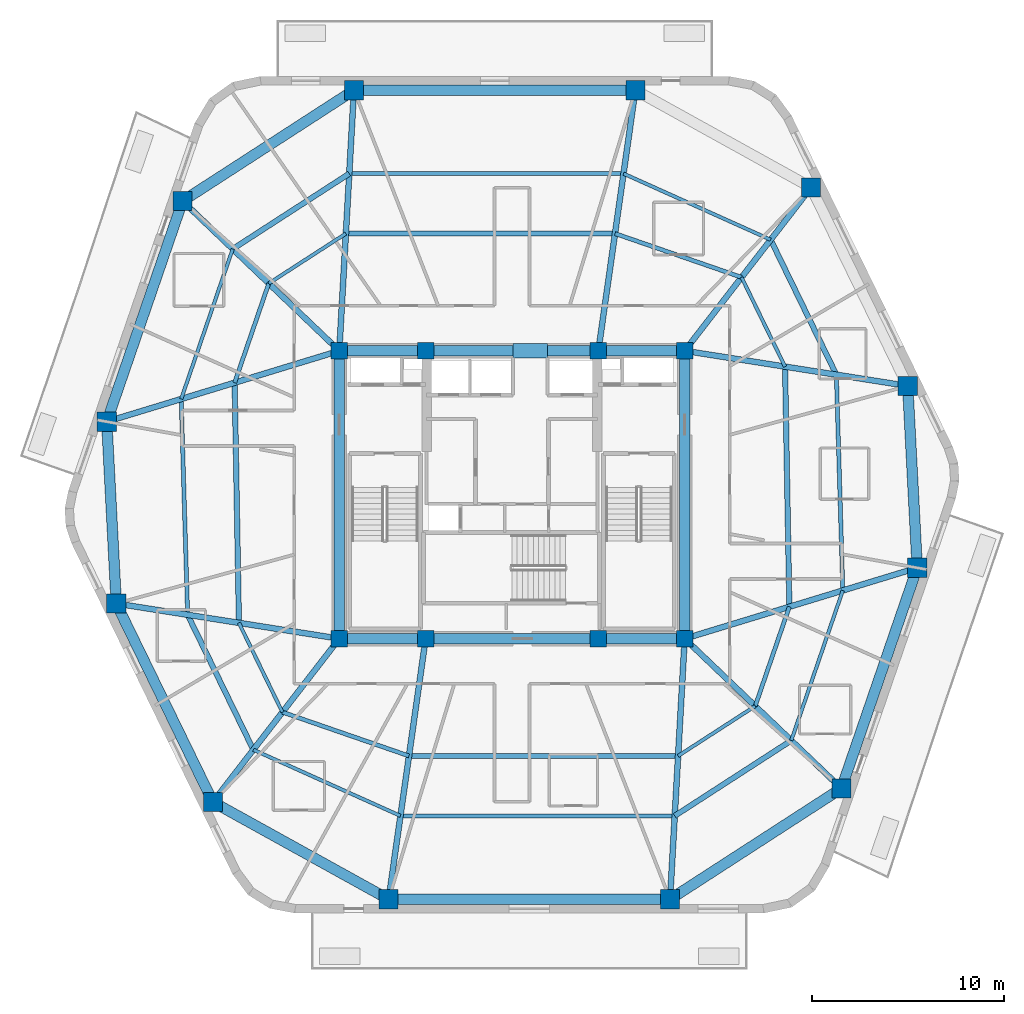
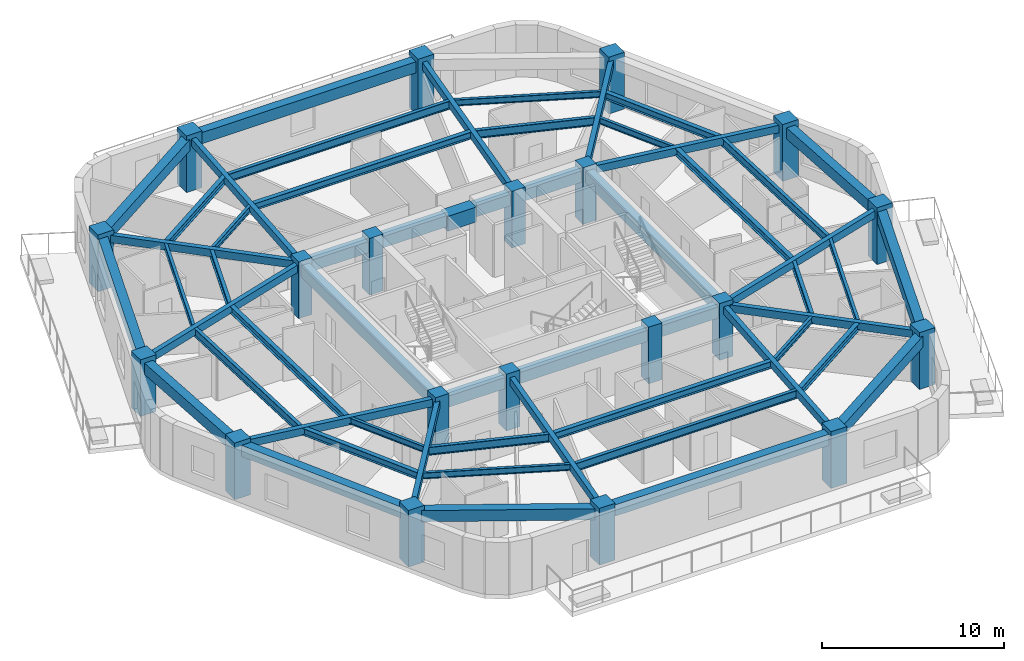
# One storey, part 1 of 9: 55 beams, 20 columns.
"""IFC4 building model written with IfcOpenShell, lengths in metres."""

import ifcopenshell
import ifcopenshell.guid

model = None  # the IFC model being written
_history = None  # IfcOwnerHistory: only IFC2X3 demands one
_inside = {}  # id of a spatial element -> (the spatial element, [elements in it])
_under = {}  # id of a project, library or spatial element -> (it, [spatial elements below it])
_declared = {}  # id of a project -> (the project, [libraries it declares])
_typed = {}  # id of a type object -> (the type object, [elements of that type])
_made_of = {}  # id of a material, layer set ... -> (it, [elements and type objects made of it])


def new_model(schema):
    """Start an empty IFC model of exactly this schema.

    Asked for "IFC4X3", IfcOpenShell would pick the latest addendum, in which some entities
    have other attributes; the version numbers below select the first issue.
    IFC2X3 requires an IfcOwnerHistory on every rooted entity: one is made here for all.
    """
    global model, _history
    if schema == "IFC4X3":
        model = ifcopenshell.file(schema_version=(4, 3, 0, 0))
    else:
        model = ifcopenshell.file(schema=schema)
    _inside.clear()
    _under.clear()
    _declared.clear()
    _typed.clear()
    _made_of.clear()
    _history = None
    if model.schema == "IFC2X3":
        org = make("IfcOrganization", Name="unknown")
        user = make(
            "IfcPersonAndOrganization",
            ThePerson=make("IfcPerson", FamilyName="unknown"),
            TheOrganization=org,
        )
        app = make(
            "IfcApplication",
            ApplicationDeveloper=org,
            Version="unknown",
            ApplicationFullName="unknown",
            ApplicationIdentifier="unknown",
        )
        _history = make(
            "IfcOwnerHistory",
            OwningUser=user,
            OwningApplication=app,
            ChangeAction="ADDED",
            CreationDate=0,
        )
    return model


def make(cls, **values):
    """One entity of the class cls with the attributes given. An attribute that is None is left unset."""
    return model.create_entity(
        cls, **{name: value for name, value in values.items() if value is not None}
    )


def rooted(cls, **values):
    """An entity with a GlobalId (a new one), such as an element, a storey or a relation."""
    return make(cls, GlobalId=ifcopenshell.guid.new(), OwnerHistory=_history, **values)


def si_unit(unit_type, name, prefix=None):
    """IfcSIUnit, for example si_unit("LENGTHUNIT", "METRE", prefix="MILLI")."""
    return make("IfcSIUnit", UnitType=unit_type, Prefix=prefix, Name=name)


def assignment(units):
    """IfcUnitAssignment: the units of a project."""
    return None if units is None else make("IfcUnitAssignment", Units=units)


def point(xyz):
    """IfcCartesianPoint."""
    return None if xyz is None else make("IfcCartesianPoint", Coordinates=xyz)


def direction(xyz):
    """IfcDirection."""
    return None if xyz is None else make("IfcDirection", DirectionRatios=xyz)


def frame(location, z_axis=None, x_axis=None):
    """IfcAxis2Placement3D, a coordinate frame: its origin and axes. An axis left out is left unset."""
    return make(
        "IfcAxis2Placement3D",
        Location=point(location),
        Axis=direction(z_axis),
        RefDirection=direction(x_axis),
    )


def frame_2d(location, x_axis=None):
    """IfcAxis2Placement2D, a coordinate frame in the plane: its origin and x axis."""
    return make(
        "IfcAxis2Placement2D", Location=point(location), RefDirection=direction(x_axis)
    )


def origin():
    """The frame at (0, 0, 0) with its axes left unset."""
    return frame((0.0, 0.0, 0.0))


def origin_2d():
    """The frame at (0, 0) in the plane with its x axis left unset."""
    return frame_2d((0.0, 0.0))


def place(relative_to, where):
    """IfcLocalPlacement: puts the frame where relative to a parent placement (None: the world)."""
    return make(
        "IfcLocalPlacement", PlacementRelTo=relative_to, RelativePlacement=where
    )


def context(
    kind, dimensions, precision=None, world=None, true_north=None, identifier=None
):
    """IfcGeometricRepresentationContext, for example the 3D "Model" context."""
    return make(
        "IfcGeometricRepresentationContext",
        ContextIdentifier=identifier,
        ContextType=kind,
        CoordinateSpaceDimension=dimensions,
        Precision=precision,
        WorldCoordinateSystem=world,
        TrueNorth=true_north,
    )


def subcontext(parent, identifier, kind, view, scale=None):
    """IfcGeometricRepresentationSubContext, for example "Body" below "Model"."""
    return make(
        "IfcGeometricRepresentationSubContext",
        ContextIdentifier=identifier,
        ContextType=kind,
        ParentContext=parent,
        TargetScale=scale,
        TargetView=view,
    )


def project(units=None, contexts=None):
    """IfcProject with its units and contexts."""
    return rooted(
        "IfcProject",
        Name="project",
        RepresentationContexts=contexts,
        UnitsInContext=assignment(units),
    )


def spatial(cls, under=None, at=None, **own):
    """A site, building, storey or space (cls), placed at a placement, below another one or the project."""
    s = rooted(cls, ObjectPlacement=at, **own)
    if under is not None:
        _under.setdefault(under.id(), (under, []))[1].append(s)
    return s


def profile(cls, at=None, kind="AREA", **sizes):
    """A parametric profile (cls). Its sizes go by their IFC names, for example OverallWidth=200.0."""
    return make(cls, ProfileType=kind, Position=at, **sizes)


def rectangle(**sizes):
    """IfcRectangleProfileDef."""
    return profile("IfcRectangleProfileDef", **sizes)


def i_section(**sizes):
    """IfcIShapeProfileDef."""
    return profile("IfcIShapeProfileDef", **sizes)


def extrude(swept, where, along, depth):
    """IfcExtrudedAreaSolid: the profile swept, set in the frame where, extruded along a direction by depth."""
    return make(
        "IfcExtrudedAreaSolid",
        SweptArea=swept,
        Position=where,
        ExtrudedDirection=direction(along),
        Depth=depth,
    )


def shape(context_of_items, identifier, shape_type, items):
    """IfcShapeRepresentation: the items that make up one representation, for example the "Body"."""
    return make(
        "IfcShapeRepresentation",
        ContextOfItems=context_of_items,
        RepresentationIdentifier=identifier,
        RepresentationType=shape_type,
        Items=items,
    )


def material(Name=None, Category=None):
    """IfcMaterial."""
    return make("IfcMaterial", Name=Name, Category=Category)


def material_profile(
    of_material, cross_section, Name=None, Category=None, Priority=None
):
    """IfcMaterialProfile: a cross section and its material."""
    return make(
        "IfcMaterialProfile",
        Name=Name,
        Material=of_material,
        Profile=cross_section,
        Priority=Priority,
        Category=Category,
    )


def profile_set(profiles, Name=None, composite=None):
    """IfcMaterialProfileSet."""
    return make(
        "IfcMaterialProfileSet",
        Name=Name,
        MaterialProfiles=profiles,
        CompositeProfile=composite,
    )


def made_of(thing, what):
    """Note that an element or type object is made of a material, layer set ...; save() writes the relation."""
    if what is not None:
        _made_of.setdefault(what.id(), (what, []))[1].append(thing)
    return thing


def type_object(cls, material=None, **own):
    """A type object (cls), such as IfcWallType, which elements share."""
    return made_of(rooted(cls, **own), material)


def element(
    cls,
    number,
    at=None,
    inside=None,
    cuts=None,
    type_object=None,
    material=None,
    context=None,
    identifier="Body",
    shape_type=None,
    held_by="IfcProductDefinitionShape",
    body=None,
    shapes=None,
    **own,
):
    """One element of the class cls, such as IfcWall. Its Tag is "e" and its number.

    at: its placement. inside: the storey or other place that contains it. cuts: it is an
    opening in that element (IfcRelVoidsElement). A single representation is given by context,
    identifier, shape_type and body (its items); several are given by shapes. held_by: the class
    of the entity that holds the representations. save() writes the other relations.
    """
    e = rooted(cls, Tag="e%d" % number, ObjectPlacement=at, **own)
    if body is not None:
        shapes = [shape(context, identifier, shape_type, body)]
    if shapes is not None:
        e.Representation = make(held_by, Representations=shapes)
    if inside is not None:
        _inside.setdefault(inside.id(), (inside, []))[1].append(e)
    if cuts is not None:
        rooted(
            "IfcRelVoidsElement", RelatingBuildingElement=cuts, RelatedOpeningElement=e
        )
    if type_object is not None:
        _typed.setdefault(type_object.id(), (type_object, []))[1].append(e)
    return made_of(e, material)


def aggregate(whole, parts):
    """IfcRelAggregates: a whole, such as a stair, and the parts it consists of."""
    return rooted("IfcRelAggregates", RelatingObject=whole, RelatedObjects=parts)


def save(model, path):
    """Write the relations noted so far, then the file.

    IfcRelAggregates (storeys below a building ...), IfcRelContainedInSpatialStructure (elements
    in a storey), IfcRelDefinesByType, IfcRelAssociatesMaterial and IfcRelDeclares: one each for
    every whole, place, type object, material and project.
    """
    for whole, parts in _under.values():
        aggregate(whole, parts)
    for where, things in _inside.values():
        rooted(
            "IfcRelContainedInSpatialStructure",
            RelatedElements=things,
            RelatingStructure=where,
        )
    for kind, things in _typed.values():
        rooted("IfcRelDefinesByType", RelatedObjects=things, RelatingType=kind)
    for what, things in _made_of.values():
        rooted("IfcRelAssociatesMaterial", RelatedObjects=things, RelatingMaterial=what)
    for by, libraries in _declared.values():
        rooted("IfcRelDeclares", RelatingContext=by, RelatedDefinitions=libraries)
    model.write(path)


model = new_model("IFC4")

# Units and contexts
model_context = context("Model", 3, precision=1e-05, world=origin(), true_north=direction((0.0, 1.0)))
body_context = subcontext(model_context, "Body", "Model", "MODEL_VIEW")
ifc_project = project(units=[si_unit("LENGTHUNIT", "METRE"), si_unit("AREAUNIT", "SQUARE_METRE"), si_unit("VOLUMEUNIT", "CUBIC_METRE"), si_unit("PLANEANGLEUNIT", "RADIAN"), si_unit("MASSUNIT", "GRAM", prefix="KILO")], contexts=[model_context])

# Site, building, storey
site_placement = place(None, origin())
site = spatial("IfcSite", under=ifc_project, at=site_placement, CompositionType="ELEMENT")
building_placement = place(site_placement, origin())
building = spatial("IfcBuilding", under=site, at=building_placement, Name="Kilnhurst Terrace Hotel", CompositionType="ELEMENT")
storey_placement = place(building_placement, frame((0.0, 0.0, 229.300048828125)))
storey = spatial("IfcBuildingStorey", under=building, at=storey_placement, Name="L57", CompositionType="ELEMENT", Elevation=229.300048828125)

# Columns
ifc_material_1 = material(Name="Concrete C60/75", Category="concrete")
ifc_material_profile_1 = material_profile(ifc_material_1, rectangle(XDim=1.0, YDim=1.0, at=origin_2d()), Name="RC1000X1000")
ifc_profile_set_1 = profile_set([ifc_material_profile_1], Name="Concrete C60/75")
column_type_1 = type_object("IfcColumnType", Name="COL-RC-1000", PredefinedType="COLUMN", material=ifc_profile_set_1)
for number, where, z_axis, x_axis, name in (
    (1, (-6.429931640625, -21.080078125, 0.0), (0.0, 0.0, 1.0), (1.0, 0.0, 0.0), "L57 Structural Column PC-F11"),
    (2, (8.236083984375, -21.080078125, 0.0), (0.0, 0.0, 1.0), (1.0, 0.0, 0.0), "L57 Structural Column PC-F12"),
    (3, (17.166015625, -15.303955078125, 0.0), (0.0, 0.0, 1.0), (1.0, 0.0, 0.0), "L57 Structural Column PC-F21"),
    (4, (21.117919921875, -3.806884765625, 0.0), (0.0, 0.0, 1.0), (1.0, 0.0, 0.0), "L57 Structural Column PC-F22"),
    (5, (20.6220703125, 5.669921875, 0.0), (0.0, 0.0, 1.0), (1.0, 0.0, 0.0), "L57 Structural Column PC-F31"),
    (6, (15.5869140625, 16.012939453125, 0.0), (0.0, 0.0, 1.0), (1.0, 0.0, 0.0), "L57 Structural Column PC-F32"),
    (7, (6.429931640625, 21.080078125, 0.0), (0.0, 0.0, 1.0), (1.0, 0.0, 0.0), "L57 Structural Column PC-F41"),
    (8, (-8.236083984375, 21.080078125, 0.0), (0.0, 0.0, 1.0), (1.0, 0.0, 0.0), "L57 Structural Column PC-F42"),
    (9, (-17.166015625, 15.303955078125, 0.0), (0.0, 0.0, 1.0), (1.0, 0.0, 0.0), "L57 Structural Column PC-F51"),
    (10, (-21.117919921875, 3.806884765625, 0.0), (0.0, 0.0, 1.0), (1.0, 0.0, 0.0), "L57 Structural Column PC-F52"),
    (11, (-20.6220703125, -5.669921875, 0.0), (0.0, 0.0, 1.0), (1.0, 0.0, 0.0), "L57 Structural Column PC-F61"),
    (12, (-15.5869140625, -16.012939453125, 0.0), (0.0, 0.0, 1.0), (1.0, 0.0, 0.0), "L57 Structural Column PC-F62"),
):
    element("IfcColumn", number, at=place(storey_placement, frame(where, z_axis=z_axis, x_axis=x_axis)), inside=storey, type_object=column_type_1, Name=name, PredefinedType="COLUMN", context=body_context, shape_type="SweptSolid", body=[
        extrude(rectangle(XDim=1.0, YDim=1.0, at=origin_2d()), origin(), (0.0, 0.0, 1.0), 3.800048828125),
    ])
ifc_material_profile_2 = material_profile(ifc_material_1, rectangle(XDim=0.85009765625, YDim=0.85009765625, at=origin_2d()), Name="RC850X850")
ifc_profile_set_2 = profile_set([ifc_material_profile_2], Name="Concrete C60/75")
column_type_2 = type_object("IfcColumnType", Name="COL-RC-850", PredefinedType="COLUMN", material=ifc_profile_set_2)
for number, where, z_axis, x_axis, name in (
    (13, (-9.0, -7.5, 0.0), (0.0, 0.0, 1.0), (1.0, 0.0, 0.0), "L57 Structural Column CC-SW"),
    (14, (-4.5, -7.5, 0.0), (0.0, 0.0, 1.0), (1.0, 0.0, 0.0), "L57 Structural Column CC-SC1"),
    (15, (4.5, -7.5, 0.0), (0.0, 0.0, 1.0), (1.0, 0.0, 0.0), "L57 Structural Column CC-SC2"),
    (16, (9.0, -7.5, 0.0), (0.0, 0.0, 1.0), (1.0, 0.0, 0.0), "L57 Structural Column CC-SE"),
    (17, (9.0, 7.5, 0.0), (0.0, 0.0, 1.0), (1.0, 0.0, 0.0), "L57 Structural Column CC-NE"),
    (18, (4.5, 7.5, 0.0), (0.0, 0.0, 1.0), (1.0, 0.0, 0.0), "L57 Structural Column CC-NC2"),
    (19, (-4.5, 7.5, 0.0), (0.0, 0.0, 1.0), (1.0, 0.0, 0.0), "L57 Structural Column CC-NC1"),
    (20, (-9.0, 7.5, 0.0), (0.0, 0.0, 1.0), (1.0, 0.0, 0.0), "L57 Structural Column CC-NW"),
):
    element("IfcColumn", number, at=place(storey_placement, frame(where, z_axis=z_axis, x_axis=x_axis)), inside=storey, type_object=column_type_2, Name=name, PredefinedType="COLUMN", context=body_context, shape_type="SweptSolid", body=[
        extrude(rectangle(XDim=0.85009765625, YDim=0.85009765625, at=origin_2d()), origin(), (0.0, 0.0, 1.0), 3.800048828125),
    ])

# Beams
ifc_material_2 = material(Name="Concrete C50/60", Category="concrete")
ifc_material_profile_3 = material_profile(ifc_material_2, rectangle(XDim=0.300048828125, YDim=0.5, at=origin_2d()), Name="RC300X500")
ifc_profile_set_3 = profile_set([ifc_material_profile_3], Name="Concrete C50/60")
beam_type_1 = type_object("IfcBeamType", Name="BM-RAD-300X500", PredefinedType="BEAM", material=ifc_profile_set_3)
beam_1_placement = place(storey_placement, frame((-4.5, -7.5, 3.25), z_axis=(-0.140701170889, -0.990052109997, 0.0), x_axis=(0.990052109997, -0.140701170889, 0.0)))
element("IfcBeam", 21, at=beam_1_placement, inside=storey, type_object=beam_type_1, Name="L57 Radial Floor Beam 1", PredefinedType="BEAM", context=body_context, shape_type="SweptSolid", body=[
    extrude(rectangle(XDim=0.300048828125, YDim=0.5, at=origin_2d()), origin(), (0.0, 0.0, 1.0), 13.716552734375),
])
beam_2_placement = place(storey_placement, frame((9.0, -7.5, 3.25), z_axis=(-0.056163905291, -0.998421562138, 0.0), x_axis=(0.998421562138, -0.056163905291, 0.0)))
element("IfcBeam", 22, at=beam_2_placement, inside=storey, type_object=beam_type_1, Name="L57 Radial Floor Beam 2", PredefinedType="BEAM", context=body_context, shape_type="SweptSolid", body=[
    extrude(rectangle(XDim=0.300048828125, YDim=0.5, at=origin_2d()), origin(), (0.0, 0.0, 1.0), 13.6015625),
])
beam_3_placement = place(storey_placement, frame((9.0, -7.5, 3.25), z_axis=(0.722952064528, -0.690898192497, 0.0), x_axis=(0.690898192497, 0.722952064528, 0.0)))
element("IfcBeam", 23, at=beam_3_placement, inside=storey, type_object=beam_type_1, Name="L57 Radial Floor Beam 3", PredefinedType="BEAM", context=body_context, shape_type="SweptSolid", body=[
    extrude(rectangle(XDim=0.300048828125, YDim=0.5, at=origin_2d()), origin(), (0.0, 0.0, 1.0), 11.29541015625),
])
beam_4_placement = place(storey_placement, frame((9.0, -7.5, 3.25), z_axis=(0.956562713724, 0.291526627793, 0.0), x_axis=(-0.291526627793, 0.956562713724, 0.0)))
element("IfcBeam", 24, at=beam_4_placement, inside=storey, type_object=beam_type_1, Name="L57 Radial Floor Beam 4", PredefinedType="BEAM", context=body_context, shape_type="SweptSolid", body=[
    extrude(rectangle(XDim=0.300048828125, YDim=0.5, at=origin_2d()), origin(), (0.0, 0.0, 1.0), 12.668212890625),
])
beam_5_placement = place(storey_placement, frame((9.0, 7.5, 3.25), z_axis=(0.987828160163, -0.155549111179, 0.0), x_axis=(0.155549111179, 0.987828160163, 0.0)))
element("IfcBeam", 25, at=beam_5_placement, inside=storey, type_object=beam_type_1, Name="L57 Radial Floor Beam 5", PredefinedType="BEAM", context=body_context, shape_type="SweptSolid", body=[
    extrude(rectangle(XDim=0.300048828125, YDim=0.5, at=origin_2d()), origin(), (0.0, 0.0, 1.0), 11.765380859375),
])
beam_6_placement = place(storey_placement, frame((9.0, 7.5, 3.25), z_axis=(0.611955412533, 0.790892263884, 0.0), x_axis=(-0.790892263884, 0.611955412533, 0.0)))
element("IfcBeam", 26, at=beam_6_placement, inside=storey, type_object=beam_type_1, Name="L57 Radial Floor Beam 6", PredefinedType="BEAM", context=body_context, shape_type="SweptSolid", body=[
    extrude(rectangle(XDim=0.300048828125, YDim=0.5, at=origin_2d()), origin(), (0.0, 0.0, 1.0), 10.763671875),
])
beam_7_placement = place(storey_placement, frame((4.5, 7.5, 3.25), z_axis=(0.140701170889, 0.990052109997, 0.0), x_axis=(-0.990052109997, 0.140701170889, 0.0)))
element("IfcBeam", 27, at=beam_7_placement, inside=storey, type_object=beam_type_1, Name="L57 Radial Floor Beam 7", PredefinedType="BEAM", context=body_context, shape_type="SweptSolid", body=[
    extrude(rectangle(XDim=0.300048828125, YDim=0.5, at=origin_2d()), origin(), (0.0, 0.0, 1.0), 13.716552734375),
])
beam_8_placement = place(storey_placement, frame((-9.0, 7.5, 3.25), z_axis=(0.056163905291, 0.998421562138, 0.0), x_axis=(-0.998421562138, 0.056163905291, 0.0)))
element("IfcBeam", 28, at=beam_8_placement, inside=storey, type_object=beam_type_1, Name="L57 Radial Floor Beam 8", PredefinedType="BEAM", context=body_context, shape_type="SweptSolid", body=[
    extrude(rectangle(XDim=0.300048828125, YDim=0.5, at=origin_2d()), origin(), (0.0, 0.0, 1.0), 13.6015625),
])
beam_9_placement = place(storey_placement, frame((-9.0, 7.5, 3.25), z_axis=(-0.722952064528, 0.690898192497, 0.0), x_axis=(-0.690898192497, -0.722952064528, 0.0)))
element("IfcBeam", 29, at=beam_9_placement, inside=storey, type_object=beam_type_1, Name="L57 Radial Floor Beam 9", PredefinedType="BEAM", context=body_context, shape_type="SweptSolid", body=[
    extrude(rectangle(XDim=0.300048828125, YDim=0.5, at=origin_2d()), origin(), (0.0, 0.0, 1.0), 11.29541015625),
])
beam_10_placement = place(storey_placement, frame((-9.0, 7.5, 3.25), z_axis=(-0.956562713724, -0.291526627793, 0.0), x_axis=(0.291526627793, -0.956562713724, 0.0)))
element("IfcBeam", 30, at=beam_10_placement, inside=storey, type_object=beam_type_1, Name="L57 Radial Floor Beam 10", PredefinedType="BEAM", context=body_context, shape_type="SweptSolid", body=[
    extrude(rectangle(XDim=0.300048828125, YDim=0.5, at=origin_2d()), origin(), (0.0, 0.0, 1.0), 12.668212890625),
])
beam_11_placement = place(storey_placement, frame((-9.0, -7.5, 3.25), z_axis=(-0.987828160163, 0.155549111179, 0.0), x_axis=(-0.155549111179, -0.987828160163, 0.0)))
element("IfcBeam", 31, at=beam_11_placement, inside=storey, type_object=beam_type_1, Name="L57 Radial Floor Beam 11", PredefinedType="BEAM", context=body_context, shape_type="SweptSolid", body=[
    extrude(rectangle(XDim=0.300048828125, YDim=0.5, at=origin_2d()), origin(), (0.0, 0.0, 1.0), 11.765380859375),
])
beam_12_placement = place(storey_placement, frame((-9.0, -7.5, 3.25), z_axis=(-0.611955412533, -0.790892263884, 0.0), x_axis=(0.790892263884, -0.611955412533, 0.0)))
element("IfcBeam", 32, at=beam_12_placement, inside=storey, type_object=beam_type_1, Name="L57 Radial Floor Beam 12", PredefinedType="BEAM", context=body_context, shape_type="SweptSolid", body=[
    extrude(rectangle(XDim=0.300048828125, YDim=0.5, at=origin_2d()), origin(), (0.0, 0.0, 1.0), 10.763671875),
])
ifc_material_profile_4 = material_profile(ifc_material_2, rectangle(XDim=0.550048828125, YDim=0.75, at=origin_2d()), Name="RC550X750")
ifc_profile_set_4 = profile_set([ifc_material_profile_4], Name="Concrete C50/60")
beam_type_2 = type_object("IfcBeamType", Name="BM-SPN-550X750", PredefinedType="SPANDREL", material=ifc_profile_set_4)
beam_13_placement = place(storey_placement, frame((-9.0, 7.5, 3.125), z_axis=(1.0, 0.0, 0.0), x_axis=(0.0, 1.0, 0.0)))
element("IfcBeam", 33, at=beam_13_placement, inside=storey, type_object=beam_type_2, Name="L57 Core Tie Beam CC-NW to CC-NC1", PredefinedType="SPANDREL", context=body_context, shape_type="SweptSolid", body=[
    extrude(rectangle(XDim=0.550048828125, YDim=0.75, at=origin_2d()), origin(), (0.0, 0.0, 1.0), 4.5),
])
beam_14_placement = place(storey_placement, frame((-4.5, 7.5, 3.125), z_axis=(1.0, 0.0, 0.0), x_axis=(0.0, 1.0, 0.0)))
element("IfcBeam", 34, at=beam_14_placement, inside=storey, type_object=beam_type_2, Name="L57 Core Tie Beam CC-NC1 to CC-NC2", PredefinedType="SPANDREL", context=body_context, shape_type="SweptSolid", body=[
    extrude(rectangle(XDim=0.550048828125, YDim=0.75, at=origin_2d()), origin(), (0.0, 0.0, 1.0), 9.0),
])
for number, where, z_axis, x_axis, name in (
    (35, (4.5, 7.5, 3.125), (1.0, 0.0, 0.0), (0.0, 1.0, 0.0), "L57 Core Tie Beam CC-NC2 to CC-NE"),
    (36, (-9.0, -7.5, 3.125), (1.0, 0.0, 0.0), (0.0, 1.0, 0.0), "L57 Core Tie Beam CC-SW to CC-SC1"),
):
    element("IfcBeam", number, at=place(storey_placement, frame(where, z_axis=z_axis, x_axis=x_axis)), inside=storey, type_object=beam_type_2, Name=name, PredefinedType="SPANDREL", context=body_context, shape_type="SweptSolid", body=[
        extrude(rectangle(XDim=0.550048828125, YDim=0.75, at=origin_2d()), origin(), (0.0, 0.0, 1.0), 4.5),
    ])
beam_15_placement = place(storey_placement, frame((-4.5, -7.5, 3.125), z_axis=(1.0, 0.0, 0.0), x_axis=(0.0, 1.0, 0.0)))
element("IfcBeam", 37, at=beam_15_placement, inside=storey, type_object=beam_type_2, Name="L57 Core Tie Beam CC-SC1 to CC-SC2", PredefinedType="SPANDREL", context=body_context, shape_type="SweptSolid", body=[
    extrude(rectangle(XDim=0.550048828125, YDim=0.75, at=origin_2d()), origin(), (0.0, 0.0, 1.0), 9.0),
])
beam_16_placement = place(storey_placement, frame((4.5, -7.5, 3.125), z_axis=(1.0, 0.0, 0.0), x_axis=(0.0, 1.0, 0.0)))
element("IfcBeam", 38, at=beam_16_placement, inside=storey, type_object=beam_type_2, Name="L57 Core Tie Beam CC-SC2 to CC-SE", PredefinedType="SPANDREL", context=body_context, shape_type="SweptSolid", body=[
    extrude(rectangle(XDim=0.550048828125, YDim=0.75, at=origin_2d()), origin(), (0.0, 0.0, 1.0), 4.5),
])
for number, where, z_axis, x_axis, name in (
    (39, (-9.0, -7.5, 3.125), (0.0, 1.0, 0.0), (-1.0, 0.0, 0.0), "L57 Core Tie Beam CC-SW to CC-NW"),
    (40, (9.0, -7.5, 3.125), (0.0, 1.0, 0.0), (-1.0, 0.0, 0.0), "L57 Core Tie Beam CC-SE to CC-NE"),
):
    element("IfcBeam", number, at=place(storey_placement, frame(where, z_axis=z_axis, x_axis=x_axis)), inside=storey, type_object=beam_type_2, Name=name, PredefinedType="SPANDREL", context=body_context, shape_type="SweptSolid", body=[
        extrude(rectangle(XDim=0.550048828125, YDim=0.75, at=origin_2d()), origin(), (0.0, 0.0, 1.0), 15.0),
    ])
beam_17_placement = place(storey_placement, frame((-6.429931640625, -21.080078125, 3.125), z_axis=(1.0, 0.0, 0.0), x_axis=(0.0, 1.0, 0.0)))
element("IfcBeam", 41, at=beam_17_placement, inside=storey, type_object=beam_type_2, Name="L57 Perimeter Spandrel Beam 1", PredefinedType="SPANDREL", context=body_context, shape_type="SweptSolid", body=[
    extrude(rectangle(XDim=0.550048828125, YDim=0.75, at=origin_2d()), origin(), (0.0, 0.0, 1.0), 14.666015625),
])
beam_18_placement = place(storey_placement, frame((8.236083984375, -21.080078125, 3.125), z_axis=(0.839658834217, 0.543114207254, 0.0), x_axis=(-0.543114207254, 0.839658834217, 0.0)))
element("IfcBeam", 42, at=beam_18_placement, inside=storey, type_object=beam_type_2, Name="L57 Perimeter Spandrel Beam 2", PredefinedType="SPANDREL", context=body_context, shape_type="SweptSolid", body=[
    extrude(rectangle(XDim=0.550048828125, YDim=0.75, at=origin_2d()), origin(), (0.0, 0.0, 1.0), 10.63525390625),
])
beam_19_placement = place(storey_placement, frame((17.166015625, -15.303955078125, 3.125), z_axis=(0.325064053802, 0.94569200109, 0.0), x_axis=(-0.94569200109, 0.325064053802, 0.0)))
element("IfcBeam", 43, at=beam_19_placement, inside=storey, type_object=beam_type_2, Name="L57 Perimeter Spandrel Beam 3", PredefinedType="SPANDREL", context=body_context, shape_type="SweptSolid", body=[
    extrude(rectangle(XDim=0.550048828125, YDim=0.75, at=origin_2d()), origin(), (0.0, 0.0, 1.0), 12.1572265625),
])
beam_20_placement = place(storey_placement, frame((21.117919921875, -3.806884765625, 3.125), z_axis=(-0.052250962837, 0.998633985443, 0.0), x_axis=(-0.998633985443, -0.052250962837, 0.0)))
element("IfcBeam", 44, at=beam_20_placement, inside=storey, type_object=beam_type_2, Name="L57 Perimeter Spandrel Beam 4", PredefinedType="SPANDREL", context=body_context, shape_type="SweptSolid", body=[
    extrude(rectangle(XDim=0.550048828125, YDim=0.75, at=origin_2d()), origin(), (0.0, 0.0, 1.0), 9.48974609375),
])
beam_21_placement = place(storey_placement, frame((6.429931640625, 21.080078125, 3.125), z_axis=(-1.0, 0.0, 0.0), x_axis=(0.0, -1.0, 0.0)))
element("IfcBeam", 45, at=beam_21_placement, inside=storey, type_object=beam_type_2, Name="L57 Perimeter Spandrel Beam 7", PredefinedType="SPANDREL", context=body_context, shape_type="SweptSolid", body=[
    extrude(rectangle(XDim=0.550048828125, YDim=0.75, at=origin_2d()), origin(), (0.0, 0.0, 1.0), 14.666015625),
])
beam_22_placement = place(storey_placement, frame((-8.236083984375, 21.080078125, 3.125), z_axis=(-0.839658834217, -0.543114207254, 0.0), x_axis=(0.543114207254, -0.839658834217, 0.0)))
element("IfcBeam", 46, at=beam_22_placement, inside=storey, type_object=beam_type_2, Name="L57 Perimeter Spandrel Beam 8", PredefinedType="SPANDREL", context=body_context, shape_type="SweptSolid", body=[
    extrude(rectangle(XDim=0.550048828125, YDim=0.75, at=origin_2d()), origin(), (0.0, 0.0, 1.0), 10.63525390625),
])
beam_23_placement = place(storey_placement, frame((-17.166015625, 15.303955078125, 3.125), z_axis=(-0.325064053802, -0.94569200109, 0.0), x_axis=(0.94569200109, -0.325064053802, 0.0)))
element("IfcBeam", 47, at=beam_23_placement, inside=storey, type_object=beam_type_2, Name="L57 Perimeter Spandrel Beam 9", PredefinedType="SPANDREL", context=body_context, shape_type="SweptSolid", body=[
    extrude(rectangle(XDim=0.550048828125, YDim=0.75, at=origin_2d()), origin(), (0.0, 0.0, 1.0), 12.1572265625),
])
beam_24_placement = place(storey_placement, frame((-21.117919921875, 3.806884765625, 3.125), z_axis=(0.052250962837, -0.998633985443, 0.0), x_axis=(0.998633985443, 0.052250962837, 0.0)))
element("IfcBeam", 48, at=beam_24_placement, inside=storey, type_object=beam_type_2, Name="L57 Perimeter Spandrel Beam 10", PredefinedType="SPANDREL", context=body_context, shape_type="SweptSolid", body=[
    extrude(rectangle(XDim=0.550048828125, YDim=0.75, at=origin_2d()), origin(), (0.0, 0.0, 1.0), 9.48974609375),
])
beam_25_placement = place(storey_placement, frame((-20.6220703125, -5.669921875, 3.125), z_axis=(0.437705964683, -0.899118172701, 0.0), x_axis=(0.899118172701, 0.437705964683, 0.0)))
element("IfcBeam", 49, at=beam_25_placement, inside=storey, type_object=beam_type_2, Name="L57 Perimeter Spandrel Beam 11", PredefinedType="SPANDREL", context=body_context, shape_type="SweptSolid", body=[
    extrude(rectangle(XDim=0.550048828125, YDim=0.75, at=origin_2d()), origin(), (0.0, 0.0, 1.0), 11.50341796875),
])
beam_26_placement = place(storey_placement, frame((-15.5869140625, -16.012939453125, 3.125), z_axis=(0.874970333121, -0.484176534085, 0.0), x_axis=(0.484176534085, 0.874970333121, 0.0)))
element("IfcBeam", 50, at=beam_26_placement, inside=storey, type_object=beam_type_2, Name="L57 Perimeter Spandrel Beam 12", PredefinedType="SPANDREL", context=body_context, shape_type="SweptSolid", body=[
    extrude(rectangle(XDim=0.550048828125, YDim=0.75, at=origin_2d()), origin(), (0.0, 0.0, 1.0), 10.465576171875),
])
ifc_material_3 = material(Name="Steel ASTM A992 Grade 50", Category="steel")
ifc_material_profile_5 = material_profile(ifc_material_3, i_section(OverallWidth=0.180908203125, OverallDepth=0.417236328125, WebThickness=0.010986328125, FlangeThickness=0.018310546875, at=origin_2d()), Name="W16X57")
ifc_profile_set_5 = profile_set([ifc_material_profile_5], Name="Steel ASTM A992 Grade 50")
beam_type_3 = type_object("IfcBeamType", Name="JST-STL-W16X57", PredefinedType="JOIST", material=ifc_profile_set_5)
beam_27_placement = place(storey_placement, frame((14.552978515625, -12.806640625, 3.291015625), z_axis=(0.325064911916, 0.945691706129, 0.0), x_axis=(-0.945691706129, 0.325064911916, 0.0)))
element("IfcBeam", 51, at=beam_27_placement, inside=storey, type_object=beam_type_3, Name="L57 Secondary Floor Steel Joist OUT.3", PredefinedType="JOIST", context=body_context, shape_type="SweptSolid", body=[
    extrude(i_section(OverallWidth=0.180908203125, OverallDepth=0.417236328125, WebThickness=0.010986328125, FlangeThickness=0.018310546875, at=origin_2d()), origin(), (0.0, 0.0, 1.0), 8.266845703125),
])
beam_28_placement = place(storey_placement, frame((13.479248046875, 13.288818359375, 3.291015625), z_axis=(-0.912120852375, 0.409921395713, 0.0), x_axis=(-0.409921395713, -0.912120852375, 0.0)))
element("IfcBeam", 52, at=beam_28_placement, inside=storey, type_object=beam_type_3, Name="L57 Secondary Floor Steel Joist OUT.6", PredefinedType="JOIST", context=body_context, shape_type="SweptSolid", body=[
    extrude(i_section(OverallWidth=0.180908203125, OverallDepth=0.417236328125, WebThickness=0.010986328125, FlangeThickness=0.018310546875, at=origin_2d()), origin(), (0.0, 0.0, 1.0), 8.405517578125),
])
beam_29_placement = place(storey_placement, frame((-14.552978515625, 12.806640625, 3.291015625), z_axis=(-0.325064911916, -0.945691706129, 0.0), x_axis=(0.945691706129, -0.325064911916, 0.0)))
element("IfcBeam", 53, at=beam_29_placement, inside=storey, type_object=beam_type_3, Name="L57 Secondary Floor Steel Joist OUT.9", PredefinedType="JOIST", context=body_context, shape_type="SweptSolid", body=[
    extrude(i_section(OverallWidth=0.180908203125, OverallDepth=0.417236328125, WebThickness=0.010986328125, FlangeThickness=0.018310546875, at=origin_2d()), origin(), (0.0, 0.0, 1.0), 8.266845703125),
])
beam_30_placement = place(storey_placement, frame((-13.479248046875, -13.288818359375, 3.291015625), z_axis=(0.912120852375, -0.409921395713, 0.0), x_axis=(0.409921395713, 0.912120852375, 0.0)))
element("IfcBeam", 54, at=beam_30_placement, inside=storey, type_object=beam_type_3, Name="L57 Secondary Floor Steel Joist OUT.12", PredefinedType="JOIST", context=body_context, shape_type="SweptSolid", body=[
    extrude(i_section(OverallWidth=0.180908203125, OverallDepth=0.417236328125, WebThickness=0.010986328125, FlangeThickness=0.018310546875, at=origin_2d()), origin(), (0.0, 0.0, 1.0), 8.405517578125),
])
beam_31_placement = place(storey_placement, frame((8.65625, -13.611083984375, 3.291015625), z_axis=(0.839653632344, 0.543122249306, 0.0), x_axis=(-0.543122249306, 0.839653632344, 0.0)))
element("IfcBeam", 55, at=beam_31_placement, inside=storey, type_object=beam_type_3, Name="L57 Secondary Floor Steel Joist IN.2", PredefinedType="JOIST", context=body_context, shape_type="SweptSolid", body=[
    extrude(i_section(OverallWidth=0.180908203125, OverallDepth=0.417236328125, WebThickness=0.010986328125, FlangeThickness=0.018310546875, at=origin_2d()), origin(), (0.0, 0.0, 1.0), 4.785888671875),
])
beam_32_placement = place(storey_placement, frame((14.22998046875, 6.676513671875, 3.291015625), z_axis=(-0.437718230281, 0.899112201496, 0.0), x_axis=(-0.899112201496, -0.437718230281, 0.0)))
element("IfcBeam", 56, at=beam_32_placement, inside=storey, type_object=beam_type_3, Name="L57 Secondary Floor Steel Joist IN.5", PredefinedType="JOIST", context=body_context, shape_type="SweptSolid", body=[
    extrude(i_section(OverallWidth=0.180908203125, OverallDepth=0.417236328125, WebThickness=0.010986328125, FlangeThickness=0.018310546875, at=origin_2d()), origin(), (0.0, 0.0, 1.0), 5.176513671875),
])
beam_33_placement = place(storey_placement, frame((-8.65625, 13.611083984375, 3.291015625), z_axis=(-0.839653632344, -0.543122249306, 0.0), x_axis=(0.543122249306, -0.839653632344, 0.0)))
element("IfcBeam", 57, at=beam_33_placement, inside=storey, type_object=beam_type_3, Name="L57 Secondary Floor Steel Joist IN.8", PredefinedType="JOIST", context=body_context, shape_type="SweptSolid", body=[
    extrude(i_section(OverallWidth=0.180908203125, OverallDepth=0.417236328125, WebThickness=0.010986328125, FlangeThickness=0.018310546875, at=origin_2d()), origin(), (0.0, 0.0, 1.0), 4.785888671875),
])
beam_34_placement = place(storey_placement, frame((-14.22998046875, -6.676513671875, 3.291015625), z_axis=(0.437718230281, -0.899112201496, 0.0), x_axis=(0.899112201496, 0.437718230281, 0.0)))
element("IfcBeam", 58, at=beam_34_placement, inside=storey, type_object=beam_type_3, Name="L57 Secondary Floor Steel Joist IN.11", PredefinedType="JOIST", context=body_context, shape_type="SweptSolid", body=[
    extrude(i_section(OverallWidth=0.180908203125, OverallDepth=0.417236328125, WebThickness=0.010986328125, FlangeThickness=0.018310546875, at=origin_2d()), origin(), (0.0, 0.0, 1.0), 5.176513671875),
])
ifc_material_profile_6 = material_profile(ifc_material_3, i_section(OverallWidth=0.279296875, OverallDepth=0.462890625, WebThickness=0.0107421875, FlangeThickness=0.017333984375, at=origin_2d()), Name="W18X76")
ifc_profile_set_6 = profile_set([ifc_material_profile_6], Name="Steel ASTM A992 Grade 50")
beam_type_4 = type_object("IfcBeamType", Name="JST-STL-W18X76", PredefinedType="JOIST", material=ifc_profile_set_6)
beam_35_placement = place(storey_placement, frame((8.48046875, -16.734375, 3.26806640625), z_axis=(0.839667054453, 0.543101498494, 0.0), x_axis=(-0.543101498494, 0.839667054453, 0.0)))
element("IfcBeam", 59, at=beam_35_placement, inside=storey, type_object=beam_type_4, Name="L57 Secondary Floor Steel Joist OUT.2", PredefinedType="JOIST", context=body_context, shape_type="SweptSolid", body=[
    extrude(i_section(OverallWidth=0.279296875, OverallDepth=0.462890625, WebThickness=0.0107421875, FlangeThickness=0.017333984375, at=origin_2d()), origin(), (0.0, 0.0, 1.0), 7.23193359375),
])
beam_36_placement = place(storey_placement, frame((16.903076171875, 6.255615234375, 3.26806640625), z_axis=(-0.437700347277, 0.899120907328, 0.0), x_axis=(-0.899120907328, -0.437700347277, 0.0)))
element("IfcBeam", 60, at=beam_36_placement, inside=storey, type_object=beam_type_4, Name="L57 Secondary Floor Steel Joist OUT.5", PredefinedType="JOIST", context=body_context, shape_type="SweptSolid", body=[
    extrude(i_section(OverallWidth=0.279296875, OverallDepth=0.462890625, WebThickness=0.0107421875, FlangeThickness=0.017333984375, at=origin_2d()), origin(), (0.0, 0.0, 1.0), 7.822265625),
])
beam_37_placement = place(storey_placement, frame((-8.48046875, 16.734375, 3.26806640625), z_axis=(-0.839667054453, -0.543101498494, 0.0), x_axis=(0.543101498494, -0.839667054453, 0.0)))
element("IfcBeam", 61, at=beam_37_placement, inside=storey, type_object=beam_type_4, Name="L57 Secondary Floor Steel Joist OUT.8", PredefinedType="JOIST", context=body_context, shape_type="SweptSolid", body=[
    extrude(i_section(OverallWidth=0.279296875, OverallDepth=0.462890625, WebThickness=0.0107421875, FlangeThickness=0.017333984375, at=origin_2d()), origin(), (0.0, 0.0, 1.0), 7.23193359375),
])
beam_38_placement = place(storey_placement, frame((-16.903076171875, -6.255615234375, 3.26806640625), z_axis=(0.437700347277, -0.899120907328, 0.0), x_axis=(0.899120907328, 0.437700347277, 0.0)))
element("IfcBeam", 62, at=beam_38_placement, inside=storey, type_object=beam_type_4, Name="L57 Secondary Floor Steel Joist OUT.11", PredefinedType="JOIST", context=body_context, shape_type="SweptSolid", body=[
    extrude(i_section(OverallWidth=0.279296875, OverallDepth=0.462890625, WebThickness=0.0107421875, FlangeThickness=0.017333984375, at=origin_2d()), origin(), (0.0, 0.0, 1.0), 7.822265625),
])
beam_39_placement = place(storey_placement, frame((-5.368408203125, -13.611083984375, 3.26806640625), z_axis=(1.0, 0.0, 0.0), x_axis=(0.0, 1.0, 0.0)))
element("IfcBeam", 63, at=beam_39_placement, inside=storey, type_object=beam_type_4, Name="L57 Secondary Floor Steel Joist IN.1", PredefinedType="JOIST", context=body_context, shape_type="SweptSolid", body=[
    extrude(i_section(OverallWidth=0.279296875, OverallDepth=0.462890625, WebThickness=0.0107421875, FlangeThickness=0.017333984375, at=origin_2d()), origin(), (0.0, 0.0, 1.0), 14.024658203125),
])
beam_40_placement = place(storey_placement, frame((14.453125, -5.838134765625, 3.26806640625), z_axis=(-0.017827833387, 0.999841071549, 0.0), x_axis=(-0.999841071549, -0.017827833387, 0.0)))
element("IfcBeam", 64, at=beam_40_placement, inside=storey, type_object=beam_type_4, Name="L57 Secondary Floor Steel Joist IN.4", PredefinedType="JOIST", context=body_context, shape_type="SweptSolid", body=[
    extrude(i_section(OverallWidth=0.279296875, OverallDepth=0.462890625, WebThickness=0.0107421875, FlangeThickness=0.017333984375, at=origin_2d()), origin(), (0.0, 0.0, 1.0), 12.5166015625),
])
beam_41_placement = place(storey_placement, frame((5.368408203125, 13.611083984375, 3.26806640625), z_axis=(-1.0, 0.0, 0.0), x_axis=(0.0, -1.0, 0.0)))
element("IfcBeam", 65, at=beam_41_placement, inside=storey, type_object=beam_type_4, Name="L57 Secondary Floor Steel Joist IN.7", PredefinedType="JOIST", context=body_context, shape_type="SweptSolid", body=[
    extrude(i_section(OverallWidth=0.279296875, OverallDepth=0.462890625, WebThickness=0.0107421875, FlangeThickness=0.017333984375, at=origin_2d()), origin(), (0.0, 0.0, 1.0), 14.024658203125),
])
beam_42_placement = place(storey_placement, frame((-14.453125, 5.838134765625, 3.26806640625), z_axis=(0.017827833387, -0.999841071549, 0.0), x_axis=(0.999841071549, 0.017827833387, 0.0)))
element("IfcBeam", 66, at=beam_42_placement, inside=storey, type_object=beam_type_4, Name="L57 Secondary Floor Steel Joist IN.10", PredefinedType="JOIST", context=body_context, shape_type="SweptSolid", body=[
    extrude(i_section(OverallWidth=0.279296875, OverallDepth=0.462890625, WebThickness=0.0107421875, FlangeThickness=0.017333984375, at=origin_2d()), origin(), (0.0, 0.0, 1.0), 12.5166015625),
])
ifc_material_profile_7 = material_profile(ifc_material_3, i_section(OverallWidth=0.2138671875, OverallDepth=0.549072265625, WebThickness=0.0146484375, FlangeThickness=0.023681640625, at=origin_2d()), Name="W21X93")
ifc_profile_set_7 = profile_set([ifc_material_profile_7], Name="Steel ASTM A992 Grade 50")
beam_type_5 = type_object("IfcBeamType", Name="JST-STL-W21X93", PredefinedType="JOIST", material=ifc_profile_set_7)
beam_43_placement = place(storey_placement, frame((-5.8125, -16.734375, 3.224853515625), z_axis=(1.0, 0.0, 0.0), x_axis=(0.0, 1.0, 0.0)))
element("IfcBeam", 67, at=beam_43_placement, inside=storey, type_object=beam_type_5, Name="L57 Secondary Floor Steel Joist OUT.1", PredefinedType="JOIST", context=body_context, shape_type="SweptSolid", body=[
    extrude(i_section(OverallWidth=0.2138671875, OverallDepth=0.549072265625, WebThickness=0.0146484375, FlangeThickness=0.023681640625, at=origin_2d()), origin(), (0.0, 0.0, 1.0), 14.29296875),
])
beam_44_placement = place(storey_placement, frame((17.240234375, -4.98876953125, 3.224853515625), z_axis=(-0.029971114202, 0.999550765251, 0.0), x_axis=(-0.999550765251, -0.029971114202, 0.0)))
element("IfcBeam", 68, at=beam_44_placement, inside=storey, type_object=beam_type_5, Name="L57 Secondary Floor Steel Joist OUT.4", PredefinedType="JOIST", context=body_context, shape_type="SweptSolid", body=[
    extrude(i_section(OverallWidth=0.2138671875, OverallDepth=0.549072265625, WebThickness=0.0146484375, FlangeThickness=0.023681640625, at=origin_2d()), origin(), (0.0, 0.0, 1.0), 11.24951171875),
])
beam_45_placement = place(storey_placement, frame((5.8125, 16.734375, 3.224853515625), z_axis=(-1.0, 0.0, 0.0), x_axis=(0.0, -1.0, 0.0)))
element("IfcBeam", 69, at=beam_45_placement, inside=storey, type_object=beam_type_5, Name="L57 Secondary Floor Steel Joist OUT.7", PredefinedType="JOIST", context=body_context, shape_type="SweptSolid", body=[
    extrude(i_section(OverallWidth=0.2138671875, OverallDepth=0.549072265625, WebThickness=0.0146484375, FlangeThickness=0.023681640625, at=origin_2d()), origin(), (0.0, 0.0, 1.0), 14.29296875),
])
beam_46_placement = place(storey_placement, frame((-17.240234375, 4.98876953125, 3.224853515625), z_axis=(0.029971114202, -0.999550765251, 0.0), x_axis=(0.999550765251, 0.029971114202, 0.0)))
element("IfcBeam", 70, at=beam_46_placement, inside=storey, type_object=beam_type_5, Name="L57 Secondary Floor Steel Joist OUT.10", PredefinedType="JOIST", context=body_context, shape_type="SweptSolid", body=[
    extrude(i_section(OverallWidth=0.2138671875, OverallDepth=0.549072265625, WebThickness=0.0146484375, FlangeThickness=0.023681640625, at=origin_2d()), origin(), (0.0, 0.0, 1.0), 11.24951171875),
])
beam_47_placement = place(storey_placement, frame((12.6748046875, -11.01171875, 3.224853515625), z_axis=(0.325063554612, 0.945692172677, 0.0), x_axis=(-0.945692172677, 0.325063554612, 0.0)))
element("IfcBeam", 71, at=beam_47_placement, inside=storey, type_object=beam_type_5, Name="L57 Secondary Floor Steel Joist IN.3", PredefinedType="JOIST", context=body_context, shape_type="SweptSolid", body=[
    extrude(i_section(OverallWidth=0.2138671875, OverallDepth=0.549072265625, WebThickness=0.0146484375, FlangeThickness=0.023681640625, at=origin_2d()), origin(), (0.0, 0.0, 1.0), 5.470703125),
])
beam_48_placement = place(storey_placement, frame((11.964111328125, 11.330810546875, 3.224853515625), z_axis=(-0.94511244231, 0.326745269884, 0.0), x_axis=(-0.326745269884, -0.94511244231, 0.0)))
element("IfcBeam", 72, at=beam_48_placement, inside=storey, type_object=beam_type_5, Name="L57 Secondary Floor Steel Joist IN.6", PredefinedType="JOIST", context=body_context, shape_type="SweptSolid", body=[
    extrude(i_section(OverallWidth=0.2138671875, OverallDepth=0.549072265625, WebThickness=0.0146484375, FlangeThickness=0.023681640625, at=origin_2d()), origin(), (0.0, 0.0, 1.0), 6.978759765625),
])
beam_49_placement = place(storey_placement, frame((-12.6748046875, 11.01171875, 3.224853515625), z_axis=(-0.325063554612, -0.945692172677, 0.0), x_axis=(0.945692172677, -0.325063554612, 0.0)))
element("IfcBeam", 73, at=beam_49_placement, inside=storey, type_object=beam_type_5, Name="L57 Secondary Floor Steel Joist IN.9", PredefinedType="JOIST", context=body_context, shape_type="SweptSolid", body=[
    extrude(i_section(OverallWidth=0.2138671875, OverallDepth=0.549072265625, WebThickness=0.0146484375, FlangeThickness=0.023681640625, at=origin_2d()), origin(), (0.0, 0.0, 1.0), 5.470703125),
])
beam_50_placement = place(storey_placement, frame((-11.964111328125, -11.330810546875, 3.224853515625), z_axis=(0.94511244231, -0.326745269884, 0.0), x_axis=(0.326745269884, 0.94511244231, 0.0)))
element("IfcBeam", 74, at=beam_50_placement, inside=storey, type_object=beam_type_5, Name="L57 Secondary Floor Steel Joist IN.12", PredefinedType="JOIST", context=body_context, shape_type="SweptSolid", body=[
    extrude(i_section(OverallWidth=0.2138671875, OverallDepth=0.549072265625, WebThickness=0.0146484375, FlangeThickness=0.023681640625, at=origin_2d()), origin(), (0.0, 0.0, 1.0), 6.978759765625),
])
ifc_material_profile_8 = material_profile(ifc_material_1, rectangle(XDim=0.75, YDim=1.0, at=origin_2d()), Name="RC750X1000")
ifc_profile_set_8 = profile_set([ifc_material_profile_8], Name="Concrete C60/75")
beam_type_6 = type_object("IfcBeamType", Name="LNT-CB-750X1000", PredefinedType="LINTEL", material=ifc_profile_set_8)
beam_51_placement = place(storey_placement, frame((0.050048828125, 7.5, 3.0), z_axis=(1.0, 0.0, 0.0), x_axis=(0.0, 1.0, 0.0)))
element("IfcBeam", 75, at=beam_51_placement, inside=storey, type_object=beam_type_6, Name="L57 North Core Coupling Link Beam", PredefinedType="LINTEL", context=body_context, shape_type="SweptSolid", body=[
    extrude(rectangle(XDim=0.75, YDim=1.0, at=origin_2d()), origin(), (0.0, 0.0, 1.0), 1.800048828125),
])

save(model, "model.ifc")
